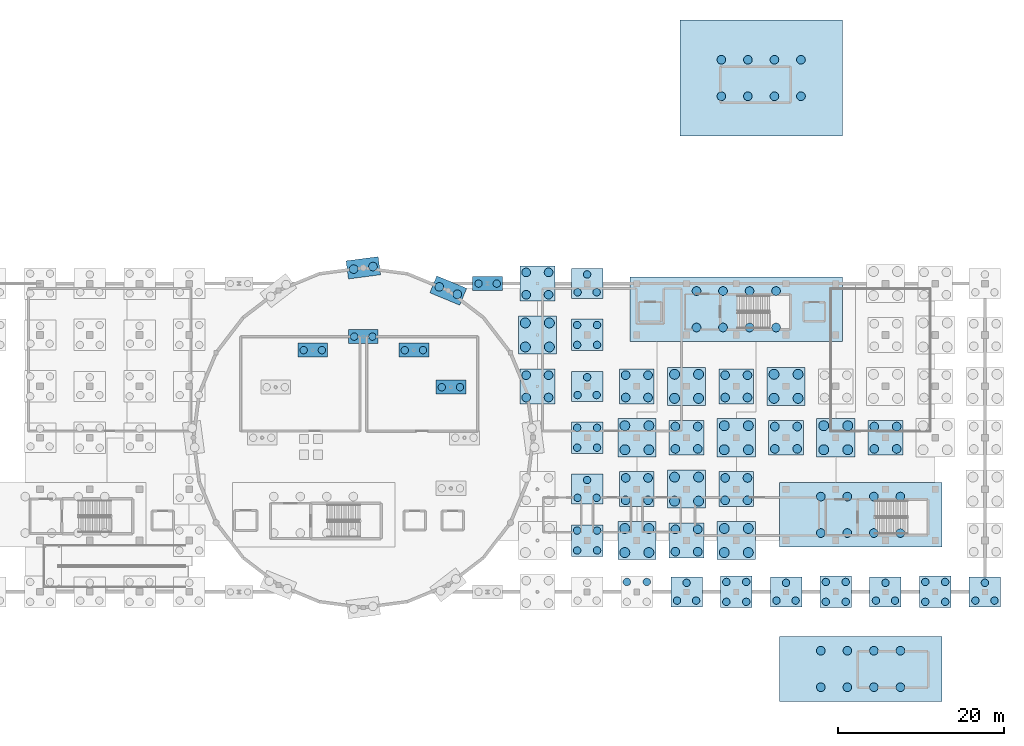
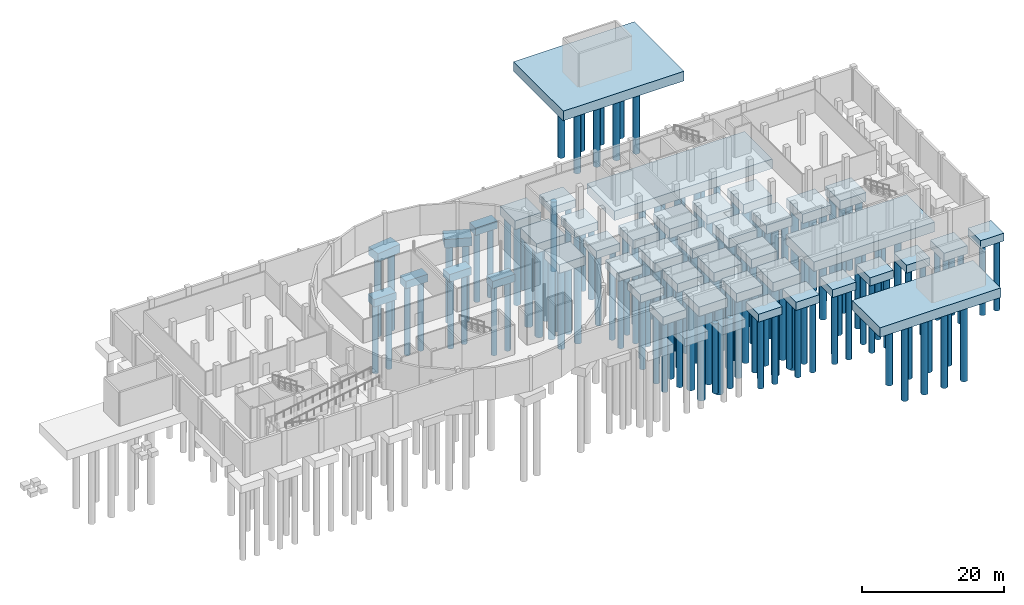
# One storey, part 2 of 19: 169 piles, 43 footings.
"""IFC4 building model written with IfcOpenShell, lengths in metres."""

from ifc_helpers import new_model, si_unit, direction, frame, origin, origin_2d, place, context, subcontext, project, spatial, rectangle, circle, extrude, material, layer, layer_set, material_profile, profile_set, type_object, element, save


model = new_model("IFC4")

# Units and contexts
model_context = context("Model", 3, precision=1e-05, world=origin(), true_north=direction((0.0, 1.0)))
body_context = subcontext(model_context, "Body", "Model", "MODEL_VIEW")
ifc_project = project(units=[si_unit("LENGTHUNIT", "METRE"), si_unit("AREAUNIT", "SQUARE_METRE"), si_unit("VOLUMEUNIT", "CUBIC_METRE"), si_unit("PLANEANGLEUNIT", "RADIAN"), si_unit("MASSUNIT", "GRAM", prefix="KILO")], contexts=[model_context])

# Site, building, storey
site_placement = place(None, origin())
site = spatial("IfcSite", under=ifc_project, at=site_placement, CompositionType="ELEMENT")
building_placement = place(site_placement, origin())
building = spatial("IfcBuilding", under=site, at=building_placement, Name="Mirzam Square Science Centre", CompositionType="ELEMENT")
storey_placement = place(building_placement, frame((0.0, 0.0, -5.39990234375)))
storey = spatial("IfcBuildingStorey", under=building, at=storey_placement, Name="B01", CompositionType="ELEMENT", Elevation=-5.39990234375)

# Footings
ifc_material = material(Name="Concrete C45/55", Category="concrete")
ifc_layer_1 = layer(ifc_material, 1.300048828125)
ifc_layer_set_1 = layer_set([ifc_layer_1], Name="PC-2P-3600x1700")
footing_type_1 = type_object("IfcFootingType", Name="PC-2P-3600x1700", PredefinedType="PILE_CAP", material=ifc_layer_set_1)
for number, where, z_axis, x_axis, name in (
    (1, (96.0, 80.60009765625, -1.7001953125), (0.0, 0.0, 1.0), (1.0, 0.0, 0.0), "Pile cap G17-14"),
    (2, (91.5654296875, 68.10009765625, -1.7001953125), (0.0, 0.0, 1.0), (1.0, 0.0, 0.0), "Inner drum cap 02"),
    (3, (87.10009765625, 72.5654296875, -1.7001953125), (0.0, 0.0, 1.0), (1.0, 0.0, 0.0), "Inner drum cap 03"),
    (4, (81.0, 74.199951171875, -1.7001953125), (0.0, 0.0, 1.0), (1.0, 0.0, 0.0), "Inner drum cap 04"),
    (5, (74.89990234375, 72.5654296875, -1.7001953125), (0.0, 0.0, 1.0), (1.0, 0.0, 0.0), "Inner drum cap 05"),
):
    element("IfcFooting", number, at=place(storey_placement, frame(where, z_axis=z_axis, x_axis=x_axis)), inside=storey, type_object=footing_type_1, Name=name, PredefinedType="PILE_CAP", context=body_context, shape_type="SweptSolid", body=[
        extrude(rectangle(XDim=3.60009765625, YDim=1.699951171875, at=origin_2d()), origin(), (0.0, 0.0, 1.0), 1.300048828125),
    ])
ifc_layer_2 = layer(ifc_material, 1.35009765625)
ifc_layer_set_2 = layer_set([ifc_layer_2], Name="PC-3P-3800x3400")
footing_type_2 = type_object("IfcFootingType", Name="PC-3P-3800x3400", PredefinedType="PILE_CAP", material=ifc_layer_set_2)
for number, where, z_axis, x_axis, name in (
    (6, (108.0, 55.800048828125, -1.750244140625), (0.0, 0.0, 1.0), (1.0, 0.0, 0.0), "Pile cap G19-10"),
    (7, (108.0, 68.199951171875, -1.750244140625), (0.0, 0.0, 1.0), (1.0, 0.0, 0.0), "Pile cap G19-12"),
    (8, (108.0, 80.60009765625, -1.750244140625), (0.0, 0.0, 1.0), (1.0, 0.0, 0.0), "Pile cap G19-14"),
    (9, (120.0, 43.39990234375, -1.750244140625), (0.0, 0.0, 1.0), (1.0, 0.0, 0.0), "Pile cap G21-08"),
    (10, (132.0, 43.39990234375, -1.750244140625), (0.0, 0.0, 1.0), (1.0, 0.0, 0.0), "Pile cap G23-08"),
    (11, (144.0, 43.39990234375, -1.750244140625), (0.0, 0.0, 1.0), (1.0, 0.0, 0.0), "Pile cap G25-08"),
    (12, (156.0, 43.39990234375, -1.750244140625), (0.0, 0.0, 1.0), (1.0, 0.0, 0.0), "Pile cap G27-08"),
):
    element("IfcFooting", number, at=place(storey_placement, frame(where, z_axis=z_axis, x_axis=x_axis)), inside=storey, type_object=footing_type_2, Name=name, PredefinedType="PILE_CAP", context=body_context, shape_type="SweptSolid", body=[
        extrude(rectangle(XDim=3.800048828125, YDim=3.60009765625, at=origin_2d()), origin(), (0.0, 0.0, 1.0), 1.35009765625),
    ])
ifc_layer_3 = layer(ifc_material, 1.39990234375)
ifc_layer_set_3 = layer_set([ifc_layer_3], Name="PC-4P-3800x3800")
footing_type_3 = type_object("IfcFootingType", Name="PC-4P-3800x3800", PredefinedType="PILE_CAP", material=ifc_layer_set_3)
for number, where, z_axis, x_axis, name in (
    (13, (108.0, 49.60009765625, -1.800048828125), (0.0, 0.0, 1.0), (1.0, 0.0, 0.0), "Pile cap G19-09"),
    (14, (108.0, 62.0, -1.800048828125), (0.0, 0.0, 1.0), (1.0, 0.0, 0.0), "Pile cap G19-11"),
    (15, (108.0, 74.39990234375, -1.800048828125), (0.0, 0.0, 1.0), (1.0, 0.0, 0.0), "Pile cap G19-13"),
    (16, (126.0, 43.39990234375, -1.800048828125), (0.0, 0.0, 1.0), (1.0, 0.0, 0.0), "Pile cap G22-08"),
    (17, (138.0, 43.39990234375, -1.800048828125), (0.0, 0.0, 1.0), (1.0, 0.0, 0.0), "Pile cap G24-08"),
    (18, (150.0, 43.39990234375, -1.800048828125), (0.0, 0.0, 1.0), (1.0, 0.0, 0.0), "Pile cap G26-08"),
):
    element("IfcFooting", number, at=place(storey_placement, frame(where, z_axis=z_axis, x_axis=x_axis)), inside=storey, type_object=footing_type_3, Name=name, PredefinedType="PILE_CAP", context=body_context, shape_type="SweptSolid", body=[
        extrude(rectangle(XDim=3.800048828125, YDim=3.800048828125, at=origin_2d()), origin(), (0.0, 0.0, 1.0), 1.39990234375),
    ])
ifc_layer_4 = layer(ifc_material, 1.5)
ifc_layer_set_4 = layer_set([ifc_layer_4], Name="PC-4P-4200x4200")
footing_type_4 = type_object("IfcFootingType", Name="PC-4P-4200x4200", PredefinedType="PILE_CAP", material=ifc_layer_set_4)
for number, where, z_axis, x_axis, name in (
    (19, (102.0, 68.199951171875, -1.900146484375), (0.0, 0.0, 1.0), (1.0, 0.0, 0.0), "Pile cap G18-12"),
    (20, (102.0, 80.60009765625, -1.900146484375), (0.0, 0.0, 1.0), (1.0, 0.0, 0.0), "Pile cap G18-14"),
    (21, (114.0, 55.800048828125, -1.900146484375), (0.0, 0.0, 1.0), (1.0, 0.0, 0.0), "Pile cap G20-10"),
    (22, (114.0, 68.199951171875, -1.900146484375), (0.0, 0.0, 1.0), (1.0, 0.0, 0.0), "Pile cap G20-12"),
    (23, (120.0, 49.60009765625, -1.900146484375), (0.0, 0.0, 1.0), (1.0, 0.0, 0.0), "Pile cap G21-09"),
    (24, (120.0, 62.0, -1.900146484375), (0.0, 0.0, 1.0), (1.0, 0.0, 0.0), "Pile cap G21-11"),
    (25, (126.0, 55.800048828125, -1.900146484375), (0.0, 0.0, 1.0), (1.0, 0.0, 0.0), "Pile cap G22-10"),
    (26, (126.0, 68.199951171875, -1.900146484375), (0.0, 0.0, 1.0), (1.0, 0.0, 0.0), "Pile cap G22-12"),
    (27, (132.0, 62.0, -1.900146484375), (0.0, 0.0, 1.0), (1.0, 0.0, 0.0), "Pile cap G23-11"),
    (28, (144.0, 62.0, -1.900146484375), (0.0, 0.0, 1.0), (1.0, 0.0, 0.0), "Pile cap G25-11"),
):
    element("IfcFooting", number, at=place(storey_placement, frame(where, z_axis=z_axis, x_axis=x_axis)), inside=storey, type_object=footing_type_4, Name=name, PredefinedType="PILE_CAP", context=body_context, shape_type="SweptSolid", body=[
        extrude(rectangle(XDim=4.199951171875, YDim=4.199951171875, at=origin_2d()), origin(), (0.0, 0.0, 1.0), 1.5),
    ])
ifc_layer_5 = layer(ifc_material, 1.60009765625)
ifc_layer_set_5 = layer_set([ifc_layer_5], Name="PC-4P-4500x4500")
footing_type_5 = type_object("IfcFootingType", Name="PC-4P-4500x4500", PredefinedType="PILE_CAP", material=ifc_layer_set_5)
for number, where, z_axis, x_axis, name in (
    (29, (102.0, 74.39990234375, -2.000244140625), (0.0, 0.0, 1.0), (1.0, 0.0, 0.0), "Pile cap G18-13"),
    (30, (114.0, 49.60009765625, -2.000244140625), (0.0, 0.0, 1.0), (1.0, 0.0, 0.0), "Pile cap G20-09"),
    (31, (114.0, 62.0, -2.000244140625), (0.0, 0.0, 1.0), (1.0, 0.0, 0.0), "Pile cap G20-11"),
    (32, (120.0, 55.800048828125, -2.000244140625), (0.0, 0.0, 1.0), (1.0, 0.0, 0.0), "Pile cap G21-10"),
    (33, (120.0, 68.199951171875, -2.000244140625), (0.0, 0.0, 1.0), (1.0, 0.0, 0.0), "Pile cap G21-12"),
    (34, (126.0, 49.60009765625, -2.000244140625), (0.0, 0.0, 1.0), (1.0, 0.0, 0.0), "Pile cap G22-09"),
    (35, (126.0, 62.0, -2.000244140625), (0.0, 0.0, 1.0), (1.0, 0.0, 0.0), "Pile cap G22-11"),
    (36, (132.0, 68.199951171875, -2.000244140625), (0.0, 0.0, 1.0), (1.0, 0.0, 0.0), "Pile cap G23-12"),
    (37, (138.0, 62.0, -2.000244140625), (0.0, 0.0, 1.0), (1.0, 0.0, 0.0), "Pile cap G24-11"),
):
    element("IfcFooting", number, at=place(storey_placement, frame(where, z_axis=z_axis, x_axis=x_axis)), inside=storey, type_object=footing_type_5, Name=name, PredefinedType="PILE_CAP", context=body_context, shape_type="SweptSolid", body=[
        extrude(rectangle(XDim=4.60009765625, YDim=4.60009765625, at=origin_2d()), origin(), (0.0, 0.0, 1.0), 1.60009765625),
    ])
ifc_layer_6 = layer(ifc_material, 1.64990234375)
ifc_layer_set_6 = layer_set([ifc_layer_6], Name="PC-CORE-13600x7600")
footing_type_6 = type_object("IfcFootingType", Name="PC-CORE-13600x7600", PredefinedType="PILE_CAP", material=ifc_layer_set_6)
footing_1_placement = place(storey_placement, frame((126.0, 77.5, -2.050048828125), z_axis=(0.0, 0.0, 1.0), x_axis=(1.0, 0.0, 0.0)))
element("IfcFooting", 38, at=footing_1_placement, inside=storey, type_object=footing_type_6, Name="Core mat pile cap CORE-4", PredefinedType="PILE_CAP", context=body_context, shape_type="SweptSolid", body=[
    extrude(rectangle(XDim=25.60009765625, YDim=7.800048828125, at=origin_2d()), origin(), (0.0, 0.0, 1.0), 1.64990234375),
])
for number, where, z_axis, x_axis, name in (
    (39, (141.0, 52.699951171875, -2.050048828125), (0.0, 0.0, 1.0), (1.0, 0.0, 0.0), "Core mat pile cap CORE-5"),
    (40, (141.0, 34.10009765625, -2.050048828125), (0.0, 0.0, 1.0), (1.0, 0.0, 0.0), "Core mat pile cap CORE-6"),
):
    element("IfcFooting", number, at=place(storey_placement, frame(where, z_axis=z_axis, x_axis=x_axis)), inside=storey, type_object=footing_type_6, Name=name, PredefinedType="PILE_CAP", context=body_context, shape_type="SweptSolid", body=[
        extrude(rectangle(XDim=19.60009765625, YDim=7.800048828125, at=origin_2d()), origin(), (0.0, 0.0, 1.0), 1.64990234375),
    ])
footing_2_placement = place(storey_placement, frame((129.0, 105.39990234375, -2.050048828125), z_axis=(0.0, 0.0, 1.0), x_axis=(1.0, 0.0, 0.0)))
element("IfcFooting", 41, at=footing_2_placement, inside=storey, type_object=footing_type_6, Name="Core mat pile cap CORE-7", PredefinedType="PILE_CAP", context=body_context, shape_type="SweptSolid", body=[
    extrude(rectangle(XDim=19.60009765625, YDim=14.0, at=origin_2d()), origin(), (0.0, 0.0, 1.0), 1.64990234375),
])
ifc_layer_7 = layer(ifc_material, 1.449951171875)
ifc_layer_set_7 = layer_set([ifc_layer_7], Name="PC-DRUM-3800x2200")
footing_type_7 = type_object("IfcFootingType", Name="PC-DRUM-3800x2200", PredefinedType="PILE_CAP", material=ifc_layer_set_7)
for number, where, z_axis, x_axis, name in (
    (42, (91.25, 79.75341796875, -1.85009765625), (0.0, 0.0, 1.0), (-0.923879532511, 0.382683432365, 0.0), "Drum pile cap 05"),
    (43, (81.0, 82.5, -1.85009765625), (0.0, 0.0, 1.0), (-0.991444861374, -0.13052619222, 0.0), "Drum pile cap 07"),
):
    element("IfcFooting", number, at=place(storey_placement, frame(where, z_axis=z_axis, x_axis=x_axis)), inside=storey, type_object=footing_type_7, Name=name, PredefinedType="PILE_CAP", context=body_context, shape_type="SweptSolid", body=[
        extrude(rectangle(XDim=3.89990234375, YDim=2.199951171875, at=origin_2d()), origin(), (0.0, 0.0, 1.0), 1.449951171875),
    ])

# Piles
ifc_material_profile_1 = material_profile(ifc_material, circle(Radius=0.52490234375, at=origin_2d()), Name="PILE-D1050")
ifc_profile_set_1 = profile_set([ifc_material_profile_1], Name="Concrete C45/55")
pile_type_1 = type_object("IfcPileType", Name="PL-1050", PredefinedType="BORED", material=ifc_profile_set_1)
for number, where, z_axis, x_axis, name in (
    (44, (121.199951171875, 75.300048828125, -1.9501953125), (0.0, 0.0, -1.0), (1.0, 0.0, 0.0), "Core pile CORE-4-1"),
    (45, (124.39990234375, 75.300048828125, -1.9501953125), (0.0, 0.0, -1.0), (1.0, 0.0, 0.0), "Core pile CORE-4-2"),
    (46, (127.60009765625, 75.300048828125, -1.9501953125), (0.0, 0.0, -1.0), (1.0, 0.0, 0.0), "Core pile CORE-4-3"),
    (47, (130.800048828125, 75.300048828125, -1.9501953125), (0.0, 0.0, -1.0), (1.0, 0.0, 0.0), "Core pile CORE-4-4"),
    (48, (121.199951171875, 79.699951171875, -1.9501953125), (0.0, 0.0, -1.0), (1.0, 0.0, 0.0), "Core pile CORE-4-5"),
    (49, (124.39990234375, 79.699951171875, -1.9501953125), (0.0, 0.0, -1.0), (1.0, 0.0, 0.0), "Core pile CORE-4-6"),
    (50, (127.60009765625, 79.699951171875, -1.9501953125), (0.0, 0.0, -1.0), (1.0, 0.0, 0.0), "Core pile CORE-4-7"),
    (51, (130.800048828125, 79.699951171875, -1.9501953125), (0.0, 0.0, -1.0), (1.0, 0.0, 0.0), "Core pile CORE-4-8"),
    (52, (136.199951171875, 50.5, -1.9501953125), (0.0, 0.0, -1.0), (1.0, 0.0, 0.0), "Core pile CORE-5-1"),
    (53, (139.39990234375, 50.5, -1.9501953125), (0.0, 0.0, -1.0), (1.0, 0.0, 0.0), "Core pile CORE-5-2"),
    (54, (142.60009765625, 50.5, -1.9501953125), (0.0, 0.0, -1.0), (1.0, 0.0, 0.0), "Core pile CORE-5-3"),
    (55, (145.800048828125, 50.5, -1.9501953125), (0.0, 0.0, -1.0), (1.0, 0.0, 0.0), "Core pile CORE-5-4"),
    (56, (136.199951171875, 54.89990234375, -1.9501953125), (0.0, 0.0, -1.0), (1.0, 0.0, 0.0), "Core pile CORE-5-5"),
    (57, (139.39990234375, 54.89990234375, -1.9501953125), (0.0, 0.0, -1.0), (1.0, 0.0, 0.0), "Core pile CORE-5-6"),
    (58, (142.60009765625, 54.89990234375, -1.9501953125), (0.0, 0.0, -1.0), (1.0, 0.0, 0.0), "Core pile CORE-5-7"),
    (59, (145.800048828125, 54.89990234375, -1.9501953125), (0.0, 0.0, -1.0), (1.0, 0.0, 0.0), "Core pile CORE-5-8"),
    (60, (136.199951171875, 31.89990234375, -1.9501953125), (0.0, 0.0, -1.0), (1.0, 0.0, 0.0), "Core pile CORE-6-1"),
    (61, (139.39990234375, 31.89990234375, -1.9501953125), (0.0, 0.0, -1.0), (1.0, 0.0, 0.0), "Core pile CORE-6-2"),
    (62, (142.60009765625, 31.89990234375, -1.9501953125), (0.0, 0.0, -1.0), (1.0, 0.0, 0.0), "Core pile CORE-6-3"),
    (63, (145.800048828125, 31.89990234375, -1.9501953125), (0.0, 0.0, -1.0), (1.0, 0.0, 0.0), "Core pile CORE-6-4"),
    (64, (136.199951171875, 36.300048828125, -1.9501953125), (0.0, 0.0, -1.0), (1.0, 0.0, 0.0), "Core pile CORE-6-5"),
    (65, (139.39990234375, 36.300048828125, -1.9501953125), (0.0, 0.0, -1.0), (1.0, 0.0, 0.0), "Core pile CORE-6-6"),
    (66, (142.60009765625, 36.300048828125, -1.9501953125), (0.0, 0.0, -1.0), (1.0, 0.0, 0.0), "Core pile CORE-6-7"),
    (67, (145.800048828125, 36.300048828125, -1.9501953125), (0.0, 0.0, -1.0), (1.0, 0.0, 0.0), "Core pile CORE-6-8"),
    (68, (124.199951171875, 103.199951171875, -1.9501953125), (0.0, 0.0, -1.0), (1.0, 0.0, 0.0), "Core pile CORE-7-1"),
    (69, (127.39990234375, 103.199951171875, -1.9501953125), (0.0, 0.0, -1.0), (1.0, 0.0, 0.0), "Core pile CORE-7-2"),
    (70, (130.60009765625, 103.199951171875, -1.9501953125), (0.0, 0.0, -1.0), (1.0, 0.0, 0.0), "Core pile CORE-7-3"),
    (71, (133.800048828125, 103.199951171875, -1.9501953125), (0.0, 0.0, -1.0), (1.0, 0.0, 0.0), "Core pile CORE-7-4"),
    (72, (124.199951171875, 107.60009765625, -1.9501953125), (0.0, 0.0, -1.0), (1.0, 0.0, 0.0), "Core pile CORE-7-5"),
    (73, (127.39990234375, 107.60009765625, -1.9501953125), (0.0, 0.0, -1.0), (1.0, 0.0, 0.0), "Core pile CORE-7-6"),
    (74, (130.60009765625, 107.60009765625, -1.9501953125), (0.0, 0.0, -1.0), (1.0, 0.0, 0.0), "Core pile CORE-7-7"),
    (75, (133.800048828125, 107.60009765625, -1.9501953125), (0.0, 0.0, -1.0), (1.0, 0.0, 0.0), "Core pile CORE-7-8"),
    (76, (100.64990234375, 66.85009765625, -1.800048828125), (0.0, 0.0, -1.0), (1.0, 0.0, 0.0), "Bored pile G18-12-1"),
    (77, (103.35009765625, 66.85009765625, -1.800048828125), (0.0, 0.0, -1.0), (1.0, 0.0, 0.0), "Bored pile G18-12-2"),
    (78, (100.64990234375, 69.550048828125, -1.800048828125), (0.0, 0.0, -1.0), (1.0, 0.0, 0.0), "Bored pile G18-12-3"),
    (79, (103.35009765625, 69.550048828125, -1.800048828125), (0.0, 0.0, -1.0), (1.0, 0.0, 0.0), "Bored pile G18-12-4"),
    (80, (100.64990234375, 79.25, -1.800048828125), (0.0, 0.0, -1.0), (1.0, 0.0, 0.0), "Bored pile G18-14-1"),
    (81, (103.35009765625, 79.25, -1.800048828125), (0.0, 0.0, -1.0), (1.0, 0.0, 0.0), "Bored pile G18-14-2"),
    (82, (100.64990234375, 81.949951171875, -1.800048828125), (0.0, 0.0, -1.0), (1.0, 0.0, 0.0), "Bored pile G18-14-3"),
    (83, (103.35009765625, 81.949951171875, -1.800048828125), (0.0, 0.0, -1.0), (1.0, 0.0, 0.0), "Bored pile G18-14-4"),
    (84, (112.64990234375, 54.449951171875, -1.800048828125), (0.0, 0.0, -1.0), (1.0, 0.0, 0.0), "Bored pile G20-10-1"),
    (85, (115.35009765625, 54.449951171875, -1.800048828125), (0.0, 0.0, -1.0), (1.0, 0.0, 0.0), "Bored pile G20-10-2"),
    (86, (112.64990234375, 57.14990234375, -1.800048828125), (0.0, 0.0, -1.0), (1.0, 0.0, 0.0), "Bored pile G20-10-3"),
    (87, (115.35009765625, 57.14990234375, -1.800048828125), (0.0, 0.0, -1.0), (1.0, 0.0, 0.0), "Bored pile G20-10-4"),
    (88, (112.64990234375, 66.85009765625, -1.800048828125), (0.0, 0.0, -1.0), (1.0, 0.0, 0.0), "Bored pile G20-12-1"),
    (89, (115.35009765625, 66.85009765625, -1.800048828125), (0.0, 0.0, -1.0), (1.0, 0.0, 0.0), "Bored pile G20-12-2"),
    (90, (112.64990234375, 69.550048828125, -1.800048828125), (0.0, 0.0, -1.0), (1.0, 0.0, 0.0), "Bored pile G20-12-3"),
    (91, (115.35009765625, 69.550048828125, -1.800048828125), (0.0, 0.0, -1.0), (1.0, 0.0, 0.0), "Bored pile G20-12-4"),
    (92, (118.64990234375, 48.25, -1.800048828125), (0.0, 0.0, -1.0), (1.0, 0.0, 0.0), "Bored pile G21-09-1"),
    (93, (121.35009765625, 48.25, -1.800048828125), (0.0, 0.0, -1.0), (1.0, 0.0, 0.0), "Bored pile G21-09-2"),
    (94, (118.64990234375, 50.949951171875, -1.800048828125), (0.0, 0.0, -1.0), (1.0, 0.0, 0.0), "Bored pile G21-09-3"),
    (95, (121.35009765625, 50.949951171875, -1.800048828125), (0.0, 0.0, -1.0), (1.0, 0.0, 0.0), "Bored pile G21-09-4"),
    (96, (118.64990234375, 60.64990234375, -1.800048828125), (0.0, 0.0, -1.0), (1.0, 0.0, 0.0), "Bored pile G21-11-1"),
    (97, (121.35009765625, 60.64990234375, -1.800048828125), (0.0, 0.0, -1.0), (1.0, 0.0, 0.0), "Bored pile G21-11-2"),
    (98, (118.64990234375, 63.35009765625, -1.800048828125), (0.0, 0.0, -1.0), (1.0, 0.0, 0.0), "Bored pile G21-11-3"),
    (99, (121.35009765625, 63.35009765625, -1.800048828125), (0.0, 0.0, -1.0), (1.0, 0.0, 0.0), "Bored pile G21-11-4"),
    (100, (124.64990234375, 54.449951171875, -1.800048828125), (0.0, 0.0, -1.0), (1.0, 0.0, 0.0), "Bored pile G22-10-1"),
    (101, (127.35009765625, 54.449951171875, -1.800048828125), (0.0, 0.0, -1.0), (1.0, 0.0, 0.0), "Bored pile G22-10-2"),
    (102, (124.64990234375, 57.14990234375, -1.800048828125), (0.0, 0.0, -1.0), (1.0, 0.0, 0.0), "Bored pile G22-10-3"),
    (103, (127.35009765625, 57.14990234375, -1.800048828125), (0.0, 0.0, -1.0), (1.0, 0.0, 0.0), "Bored pile G22-10-4"),
    (104, (124.64990234375, 66.85009765625, -1.800048828125), (0.0, 0.0, -1.0), (1.0, 0.0, 0.0), "Bored pile G22-12-1"),
    (105, (127.35009765625, 66.85009765625, -1.800048828125), (0.0, 0.0, -1.0), (1.0, 0.0, 0.0), "Bored pile G22-12-2"),
    (106, (124.64990234375, 69.550048828125, -1.800048828125), (0.0, 0.0, -1.0), (1.0, 0.0, 0.0), "Bored pile G22-12-3"),
    (107, (127.35009765625, 69.550048828125, -1.800048828125), (0.0, 0.0, -1.0), (1.0, 0.0, 0.0), "Bored pile G22-12-4"),
    (108, (130.64990234375, 60.64990234375, -1.800048828125), (0.0, 0.0, -1.0), (1.0, 0.0, 0.0), "Bored pile G23-11-1"),
    (109, (133.35009765625, 60.64990234375, -1.800048828125), (0.0, 0.0, -1.0), (1.0, 0.0, 0.0), "Bored pile G23-11-2"),
    (110, (130.64990234375, 63.35009765625, -1.800048828125), (0.0, 0.0, -1.0), (1.0, 0.0, 0.0), "Bored pile G23-11-3"),
    (111, (133.35009765625, 63.35009765625, -1.800048828125), (0.0, 0.0, -1.0), (1.0, 0.0, 0.0), "Bored pile G23-11-4"),
    (112, (142.64990234375, 60.64990234375, -1.800048828125), (0.0, 0.0, -1.0), (1.0, 0.0, 0.0), "Bored pile G25-11-1"),
    (113, (145.35009765625, 60.64990234375, -1.800048828125), (0.0, 0.0, -1.0), (1.0, 0.0, 0.0), "Bored pile G25-11-2"),
    (114, (142.64990234375, 63.35009765625, -1.800048828125), (0.0, 0.0, -1.0), (1.0, 0.0, 0.0), "Bored pile G25-11-3"),
    (115, (145.35009765625, 63.35009765625, -1.800048828125), (0.0, 0.0, -1.0), (1.0, 0.0, 0.0), "Bored pile G25-11-4"),
    (116, (92.335693359375, 79.3037109375, -1.75), (0.0, 0.0, -1.0), (1.0, 0.0, 0.0), "Drum pile 05-1"),
    (117, (90.164306640625, 80.203125, -1.75), (0.0, 0.0, -1.0), (1.0, 0.0, 0.0), "Drum pile 05-2"),
    (118, (82.164794921875, 82.6533203125, -1.75), (0.0, 0.0, -1.0), (1.0, 0.0, 0.0), "Drum pile 07-1"),
    (119, (79.835205078125, 82.3466796875, -1.75), (0.0, 0.0, -1.0), (1.0, 0.0, 0.0), "Drum pile 07-2"),
):
    element("IfcPile", number, at=place(storey_placement, frame(where, z_axis=z_axis, x_axis=x_axis)), inside=storey, type_object=pile_type_1, Name=name, PredefinedType="BORED", context=body_context, shape_type="SweptSolid", body=[
        extrude(circle(Radius=0.52490234375, at=origin_2d()), origin(), (0.0, 0.0, 1.0), 13.5),
    ])
ifc_material_profile_2 = material_profile(ifc_material, circle(Radius=0.60009765625, at=origin_2d()), Name="PILE-D1200")
ifc_profile_set_2 = profile_set([ifc_material_profile_2], Name="Concrete C45/55")
pile_type_2 = type_object("IfcPileType", Name="PL-1200", PredefinedType="BORED", material=ifc_profile_set_2)
for number, where, z_axis, x_axis, name in (
    (120, (100.550048828125, 72.949951171875, -1.900146484375), (0.0, 0.0, -1.0), (1.0, 0.0, 0.0), "Bored pile G18-13-1"),
    (121, (103.449951171875, 72.949951171875, -1.900146484375), (0.0, 0.0, -1.0), (1.0, 0.0, 0.0), "Bored pile G18-13-2"),
    (122, (100.550048828125, 75.85009765625, -1.900146484375), (0.0, 0.0, -1.0), (1.0, 0.0, 0.0), "Bored pile G18-13-3"),
    (123, (103.449951171875, 75.85009765625, -1.900146484375), (0.0, 0.0, -1.0), (1.0, 0.0, 0.0), "Bored pile G18-13-4"),
    (124, (112.550048828125, 48.14990234375, -1.900146484375), (0.0, 0.0, -1.0), (1.0, 0.0, 0.0), "Bored pile G20-09-1"),
    (125, (115.449951171875, 48.14990234375, -1.900146484375), (0.0, 0.0, -1.0), (1.0, 0.0, 0.0), "Bored pile G20-09-2"),
    (126, (112.550048828125, 51.050048828125, -1.900146484375), (0.0, 0.0, -1.0), (1.0, 0.0, 0.0), "Bored pile G20-09-3"),
    (127, (115.449951171875, 51.050048828125, -1.900146484375), (0.0, 0.0, -1.0), (1.0, 0.0, 0.0), "Bored pile G20-09-4"),
    (128, (112.550048828125, 60.550048828125, -1.900146484375), (0.0, 0.0, -1.0), (1.0, 0.0, 0.0), "Bored pile G20-11-1"),
    (129, (115.449951171875, 60.550048828125, -1.900146484375), (0.0, 0.0, -1.0), (1.0, 0.0, 0.0), "Bored pile G20-11-2"),
    (130, (112.550048828125, 63.449951171875, -1.900146484375), (0.0, 0.0, -1.0), (1.0, 0.0, 0.0), "Bored pile G20-11-3"),
    (131, (115.449951171875, 63.449951171875, -1.900146484375), (0.0, 0.0, -1.0), (1.0, 0.0, 0.0), "Bored pile G20-11-4"),
    (132, (118.550048828125, 54.35009765625, -1.900146484375), (0.0, 0.0, -1.0), (1.0, 0.0, 0.0), "Bored pile G21-10-1"),
    (133, (121.449951171875, 54.35009765625, -1.900146484375), (0.0, 0.0, -1.0), (1.0, 0.0, 0.0), "Bored pile G21-10-2"),
    (134, (118.550048828125, 57.25, -1.900146484375), (0.0, 0.0, -1.0), (1.0, 0.0, 0.0), "Bored pile G21-10-3"),
    (135, (121.449951171875, 57.25, -1.900146484375), (0.0, 0.0, -1.0), (1.0, 0.0, 0.0), "Bored pile G21-10-4"),
    (136, (118.550048828125, 66.75, -1.900146484375), (0.0, 0.0, -1.0), (1.0, 0.0, 0.0), "Bored pile G21-12-1"),
    (137, (121.449951171875, 66.75, -1.900146484375), (0.0, 0.0, -1.0), (1.0, 0.0, 0.0), "Bored pile G21-12-2"),
    (138, (118.550048828125, 69.64990234375, -1.900146484375), (0.0, 0.0, -1.0), (1.0, 0.0, 0.0), "Bored pile G21-12-3"),
    (139, (121.449951171875, 69.64990234375, -1.900146484375), (0.0, 0.0, -1.0), (1.0, 0.0, 0.0), "Bored pile G21-12-4"),
    (140, (124.550048828125, 48.14990234375, -1.900146484375), (0.0, 0.0, -1.0), (1.0, 0.0, 0.0), "Bored pile G22-09-1"),
    (141, (127.449951171875, 48.14990234375, -1.900146484375), (0.0, 0.0, -1.0), (1.0, 0.0, 0.0), "Bored pile G22-09-2"),
    (142, (124.550048828125, 51.050048828125, -1.900146484375), (0.0, 0.0, -1.0), (1.0, 0.0, 0.0), "Bored pile G22-09-3"),
    (143, (127.449951171875, 51.050048828125, -1.900146484375), (0.0, 0.0, -1.0), (1.0, 0.0, 0.0), "Bored pile G22-09-4"),
    (144, (124.550048828125, 60.550048828125, -1.900146484375), (0.0, 0.0, -1.0), (1.0, 0.0, 0.0), "Bored pile G22-11-1"),
    (145, (127.449951171875, 60.550048828125, -1.900146484375), (0.0, 0.0, -1.0), (1.0, 0.0, 0.0), "Bored pile G22-11-2"),
    (146, (124.550048828125, 63.449951171875, -1.900146484375), (0.0, 0.0, -1.0), (1.0, 0.0, 0.0), "Bored pile G22-11-3"),
    (147, (127.449951171875, 63.449951171875, -1.900146484375), (0.0, 0.0, -1.0), (1.0, 0.0, 0.0), "Bored pile G22-11-4"),
    (148, (130.550048828125, 66.75, -1.900146484375), (0.0, 0.0, -1.0), (1.0, 0.0, 0.0), "Bored pile G23-12-1"),
    (149, (133.449951171875, 66.75, -1.900146484375), (0.0, 0.0, -1.0), (1.0, 0.0, 0.0), "Bored pile G23-12-2"),
    (150, (130.550048828125, 69.64990234375, -1.900146484375), (0.0, 0.0, -1.0), (1.0, 0.0, 0.0), "Bored pile G23-12-3"),
    (151, (133.449951171875, 69.64990234375, -1.900146484375), (0.0, 0.0, -1.0), (1.0, 0.0, 0.0), "Bored pile G23-12-4"),
    (152, (136.550048828125, 60.550048828125, -1.900146484375), (0.0, 0.0, -1.0), (1.0, 0.0, 0.0), "Bored pile G24-11-1"),
    (153, (139.449951171875, 60.550048828125, -1.900146484375), (0.0, 0.0, -1.0), (1.0, 0.0, 0.0), "Bored pile G24-11-2"),
    (154, (136.550048828125, 63.449951171875, -1.900146484375), (0.0, 0.0, -1.0), (1.0, 0.0, 0.0), "Bored pile G24-11-3"),
    (155, (139.449951171875, 63.449951171875, -1.900146484375), (0.0, 0.0, -1.0), (1.0, 0.0, 0.0), "Bored pile G24-11-4"),
):
    element("IfcPile", number, at=place(storey_placement, frame(where, z_axis=z_axis, x_axis=x_axis)), inside=storey, type_object=pile_type_2, Name=name, PredefinedType="BORED", context=body_context, shape_type="SweptSolid", body=[
        extrude(circle(Radius=0.60009765625, at=origin_2d()), origin(), (0.0, 0.0, 1.0), 15.0),
    ])
ifc_material_profile_3 = material_profile(ifc_material, circle(Radius=0.449951171875, at=origin_2d()), Name="PILE-D900")
ifc_profile_set_3 = profile_set([ifc_material_profile_3], Name="Concrete C45/55")
pile_type_3 = type_object("IfcPileType", Name="PL-900", PredefinedType="BORED", material=ifc_profile_set_3)
for number, where, z_axis, x_axis, name in (
    (156, (94.89990234375, 80.60009765625, -1.60009765625), (0.0, 0.0, -1.0), (1.0, 0.0, 0.0), "Bored pile G17-14-1"),
    (157, (97.10009765625, 80.60009765625, -1.60009765625), (0.0, 0.0, -1.0), (1.0, 0.0, 0.0), "Bored pile G17-14-2"),
    (158, (106.800048828125, 48.39990234375, -1.7001953125), (0.0, 0.0, -1.0), (1.0, 0.0, 0.0), "Bored pile G19-09-1"),
    (159, (109.199951171875, 48.39990234375, -1.7001953125), (0.0, 0.0, -1.0), (1.0, 0.0, 0.0), "Bored pile G19-09-2"),
    (160, (106.800048828125, 50.800048828125, -1.7001953125), (0.0, 0.0, -1.0), (1.0, 0.0, 0.0), "Bored pile G19-09-3"),
    (161, (109.199951171875, 50.800048828125, -1.7001953125), (0.0, 0.0, -1.0), (1.0, 0.0, 0.0), "Bored pile G19-09-4"),
    (162, (106.85009765625, 54.75, -1.650146484375), (0.0, 0.0, -1.0), (1.0, 0.0, 0.0), "Bored pile G19-10-1"),
    (163, (109.14990234375, 54.75, -1.650146484375), (0.0, 0.0, -1.0), (1.0, 0.0, 0.0), "Bored pile G19-10-2"),
    (164, (108.0, 56.89990234375, -1.650146484375), (0.0, 0.0, -1.0), (1.0, 0.0, 0.0), "Bored pile G19-10-3"),
    (165, (106.800048828125, 60.800048828125, -1.7001953125), (0.0, 0.0, -1.0), (1.0, 0.0, 0.0), "Bored pile G19-11-1"),
    (166, (109.199951171875, 60.800048828125, -1.7001953125), (0.0, 0.0, -1.0), (1.0, 0.0, 0.0), "Bored pile G19-11-2"),
    (167, (106.800048828125, 63.199951171875, -1.7001953125), (0.0, 0.0, -1.0), (1.0, 0.0, 0.0), "Bored pile G19-11-3"),
    (168, (109.199951171875, 63.199951171875, -1.7001953125), (0.0, 0.0, -1.0), (1.0, 0.0, 0.0), "Bored pile G19-11-4"),
    (169, (106.85009765625, 67.14990234375, -1.650146484375), (0.0, 0.0, -1.0), (1.0, 0.0, 0.0), "Bored pile G19-12-1"),
    (170, (109.14990234375, 67.14990234375, -1.650146484375), (0.0, 0.0, -1.0), (1.0, 0.0, 0.0), "Bored pile G19-12-2"),
    (171, (108.0, 69.300048828125, -1.650146484375), (0.0, 0.0, -1.0), (1.0, 0.0, 0.0), "Bored pile G19-12-3"),
    (172, (106.800048828125, 73.199951171875, -1.7001953125), (0.0, 0.0, -1.0), (1.0, 0.0, 0.0), "Bored pile G19-13-1"),
    (173, (109.199951171875, 73.199951171875, -1.7001953125), (0.0, 0.0, -1.0), (1.0, 0.0, 0.0), "Bored pile G19-13-2"),
    (174, (106.800048828125, 75.60009765625, -1.7001953125), (0.0, 0.0, -1.0), (1.0, 0.0, 0.0), "Bored pile G19-13-3"),
    (175, (109.199951171875, 75.60009765625, -1.7001953125), (0.0, 0.0, -1.0), (1.0, 0.0, 0.0), "Bored pile G19-13-4"),
    (176, (106.85009765625, 79.550048828125, -1.650146484375), (0.0, 0.0, -1.0), (1.0, 0.0, 0.0), "Bored pile G19-14-1"),
    (177, (109.14990234375, 79.550048828125, -1.650146484375), (0.0, 0.0, -1.0), (1.0, 0.0, 0.0), "Bored pile G19-14-2"),
    (178, (108.0, 81.699951171875, -1.650146484375), (0.0, 0.0, -1.0), (1.0, 0.0, 0.0), "Bored pile G19-14-3"),
    (179, (112.800048828125, 44.60009765625, -1.7001953125), (0.0, 0.0, -1.0), (1.0, 0.0, 0.0), "Bored pile G20-08-3"),
    (180, (115.199951171875, 44.60009765625, -1.7001953125), (0.0, 0.0, -1.0), (1.0, 0.0, 0.0), "Bored pile G20-08-4"),
    (181, (118.85009765625, 42.35009765625, -1.650146484375), (0.0, 0.0, -1.0), (1.0, 0.0, 0.0), "Bored pile G21-08-1"),
    (182, (121.14990234375, 42.35009765625, -1.650146484375), (0.0, 0.0, -1.0), (1.0, 0.0, 0.0), "Bored pile G21-08-2"),
    (183, (120.0, 44.5, -1.650146484375), (0.0, 0.0, -1.0), (1.0, 0.0, 0.0), "Bored pile G21-08-3"),
    (184, (124.800048828125, 42.199951171875, -1.7001953125), (0.0, 0.0, -1.0), (1.0, 0.0, 0.0), "Bored pile G22-08-1"),
    (185, (127.199951171875, 42.199951171875, -1.7001953125), (0.0, 0.0, -1.0), (1.0, 0.0, 0.0), "Bored pile G22-08-2"),
    (186, (124.800048828125, 44.60009765625, -1.7001953125), (0.0, 0.0, -1.0), (1.0, 0.0, 0.0), "Bored pile G22-08-3"),
    (187, (127.199951171875, 44.60009765625, -1.7001953125), (0.0, 0.0, -1.0), (1.0, 0.0, 0.0), "Bored pile G22-08-4"),
    (188, (130.85009765625, 42.35009765625, -1.650146484375), (0.0, 0.0, -1.0), (1.0, 0.0, 0.0), "Bored pile G23-08-1"),
    (189, (133.14990234375, 42.35009765625, -1.650146484375), (0.0, 0.0, -1.0), (1.0, 0.0, 0.0), "Bored pile G23-08-2"),
    (190, (132.0, 44.5, -1.650146484375), (0.0, 0.0, -1.0), (1.0, 0.0, 0.0), "Bored pile G23-08-3"),
    (191, (136.800048828125, 42.199951171875, -1.7001953125), (0.0, 0.0, -1.0), (1.0, 0.0, 0.0), "Bored pile G24-08-1"),
    (192, (139.199951171875, 42.199951171875, -1.7001953125), (0.0, 0.0, -1.0), (1.0, 0.0, 0.0), "Bored pile G24-08-2"),
    (193, (136.800048828125, 44.60009765625, -1.7001953125), (0.0, 0.0, -1.0), (1.0, 0.0, 0.0), "Bored pile G24-08-3"),
    (194, (139.199951171875, 44.60009765625, -1.7001953125), (0.0, 0.0, -1.0), (1.0, 0.0, 0.0), "Bored pile G24-08-4"),
    (195, (142.85009765625, 42.35009765625, -1.650146484375), (0.0, 0.0, -1.0), (1.0, 0.0, 0.0), "Bored pile G25-08-1"),
    (196, (145.14990234375, 42.35009765625, -1.650146484375), (0.0, 0.0, -1.0), (1.0, 0.0, 0.0), "Bored pile G25-08-2"),
    (197, (144.0, 44.5, -1.650146484375), (0.0, 0.0, -1.0), (1.0, 0.0, 0.0), "Bored pile G25-08-3"),
    (198, (148.800048828125, 42.199951171875, -1.7001953125), (0.0, 0.0, -1.0), (1.0, 0.0, 0.0), "Bored pile G26-08-1"),
    (199, (151.199951171875, 42.199951171875, -1.7001953125), (0.0, 0.0, -1.0), (1.0, 0.0, 0.0), "Bored pile G26-08-2"),
    (200, (148.800048828125, 44.60009765625, -1.7001953125), (0.0, 0.0, -1.0), (1.0, 0.0, 0.0), "Bored pile G26-08-3"),
    (201, (151.199951171875, 44.60009765625, -1.7001953125), (0.0, 0.0, -1.0), (1.0, 0.0, 0.0), "Bored pile G26-08-4"),
    (202, (154.85009765625, 42.35009765625, -1.650146484375), (0.0, 0.0, -1.0), (1.0, 0.0, 0.0), "Bored pile G27-08-1"),
    (203, (157.14990234375, 42.35009765625, -1.650146484375), (0.0, 0.0, -1.0), (1.0, 0.0, 0.0), "Bored pile G27-08-2"),
    (204, (156.0, 44.5, -1.650146484375), (0.0, 0.0, -1.0), (1.0, 0.0, 0.0), "Bored pile G27-08-3"),
    (205, (90.465576171875, 68.10009765625, -1.60009765625), (0.0, 0.0, -1.0), (1.0, 0.0, 0.0), "Inner drum pile 02-1"),
    (206, (92.66552734375, 68.10009765625, -1.60009765625), (0.0, 0.0, -1.0), (1.0, 0.0, 0.0), "Inner drum pile 02-2"),
    (207, (86.0, 72.5654296875, -1.60009765625), (0.0, 0.0, -1.0), (1.0, 0.0, 0.0), "Inner drum pile 03-1"),
    (208, (88.199951171875, 72.5654296875, -1.60009765625), (0.0, 0.0, -1.0), (1.0, 0.0, 0.0), "Inner drum pile 03-2"),
    (209, (79.89990234375, 74.199951171875, -1.60009765625), (0.0, 0.0, -1.0), (1.0, 0.0, 0.0), "Inner drum pile 04-1"),
    (210, (82.10009765625, 74.199951171875, -1.60009765625), (0.0, 0.0, -1.0), (1.0, 0.0, 0.0), "Inner drum pile 04-2"),
    (211, (73.800048828125, 72.5654296875, -1.60009765625), (0.0, 0.0, -1.0), (1.0, 0.0, 0.0), "Inner drum pile 05-1"),
    (212, (76.0, 72.5654296875, -1.60009765625), (0.0, 0.0, -1.0), (1.0, 0.0, 0.0), "Inner drum pile 05-2"),
):
    element("IfcPile", number, at=place(storey_placement, frame(where, z_axis=z_axis, x_axis=x_axis)), inside=storey, type_object=pile_type_3, Name=name, PredefinedType="BORED", context=body_context, shape_type="SweptSolid", body=[
        extrude(circle(Radius=0.449951171875, at=origin_2d()), origin(), (0.0, 0.0, 1.0), 12.0),
    ])

save(model, "model.ifc")
